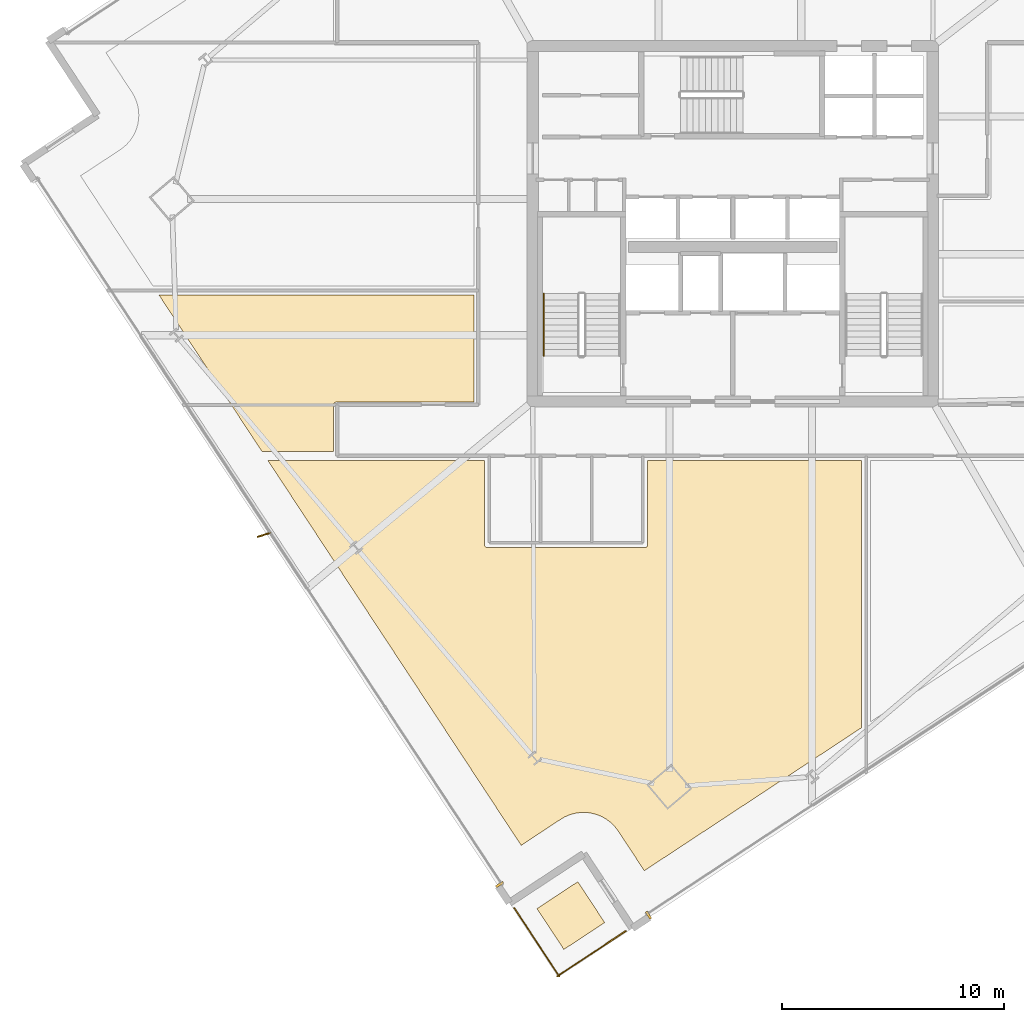
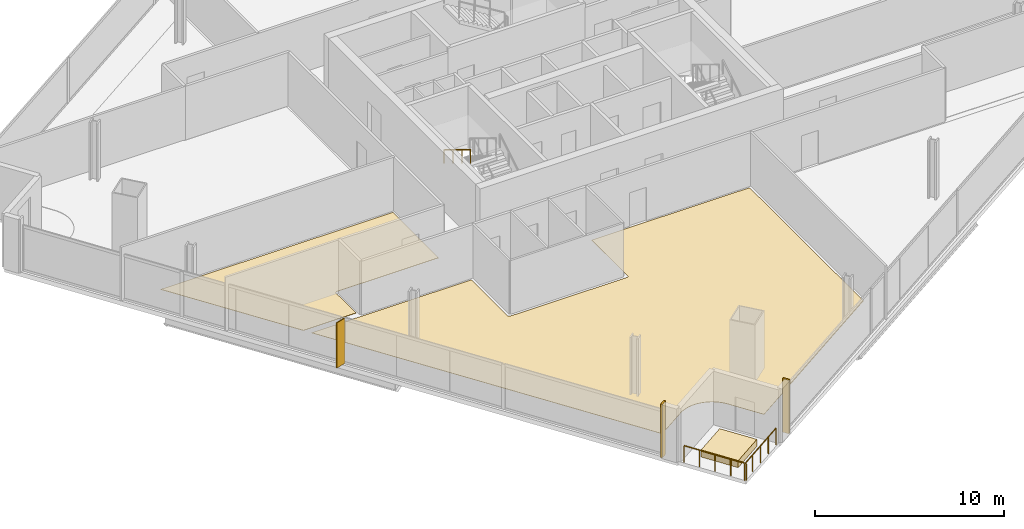
# One storey, part 25 of 29: 5 coverings, 3 railings, 1 shading device.
"""IFC4 building model written with IfcOpenShell, lengths in metres."""

from ifc_helpers import new_model, si_unit, direction, frame, origin, origin_2d, place, context, subcontext, project, spatial, polyline, rectangle, outline, extrude, source, transform, mapped, material, layer, layer_set, type_object, element, save


model = new_model("IFC4")

# Units and contexts
model_context = context("Model", 3, precision=1e-05, world=origin(), true_north=direction((0.0, 1.0)))
body_context = subcontext(model_context, "Body", "Model", "MODEL_VIEW")
ifc_project = project(units=[si_unit("LENGTHUNIT", "METRE"), si_unit("AREAUNIT", "SQUARE_METRE"), si_unit("VOLUMEUNIT", "CUBIC_METRE"), si_unit("PLANEANGLEUNIT", "RADIAN"), si_unit("MASSUNIT", "GRAM", prefix="KILO")], contexts=[model_context])

# Site, building, storey
site_placement = place(None, origin())
site = spatial("IfcSite", under=ifc_project, at=site_placement, CompositionType="ELEMENT")
building_placement = place(site_placement, origin())
building = spatial("IfcBuilding", under=site, at=building_placement, Name="Haldenkirk Collegiate Tower", CompositionType="ELEMENT")
storey_placement = place(building_placement, frame((0.0, 0.0, 140.699951171875)))
storey = spatial("IfcBuildingStorey", under=building, at=storey_placement, Name="L34", CompositionType="ELEMENT", Elevation=140.699951171875)

# Coverings
ifc_material_1 = material(Name="Engineered collegiate oak acoustic flooring", Category="wood")
ifc_layer_1 = layer(ifc_material_1, 0.02197265625)
ifc_layer_set_1 = layer_set([ifc_layer_1], Name="Engineered collegiate oak acoustic flooring")
covering_type_1 = type_object("IfcCoveringType", Name="COV-FLOOR-TIMBER", PredefinedType="FLOORING", material=ifc_layer_set_1)
covering_1_placement = place(storey_placement, origin())
element("IfcCovering", 1, at=covering_1_placement, inside=storey, type_object=covering_type_1, Name="L34 academic room finish 01", PredefinedType="FLOORING", context=body_context, shape_type="SweptSolid", body=[
    extrude(outline(polyline([(30.340576171875, -0.817138671875), (30.330810546875, -0.810546875), (30.18408203125, -0.72119140625), (30.173828125, -0.715576171875), (30.019287109375, -0.64111328125), (30.00830078125, -0.636474609375), (29.846923828125, -0.577392578125), (29.835693359375, -0.573974609375), (29.66943359375, -0.53125), (29.657958984375, -0.52880859375), (29.48828125, -0.50244140625), (29.4765625, -0.501220703125), (29.30517578125, -0.491455078125), (29.293212890625, -0.491455078125), (29.12158203125, -0.498779296875), (29.10986328125, -0.499755859375), (28.93994140625, -0.523681640625), (28.928466796875, -0.52587890625), (28.761474609375, -0.56640625), (28.75, -0.56982421875), (28.587890625, -0.626708984375), (28.5771484375, -0.631103515625), (28.42138671875, -0.703369140625), (28.410888671875, -0.708740234375), (28.262939453125, -0.796142578125), (28.258056640625, -0.79931640625), (26.47900390625, -1.97021484375), (15.079833984375, 15.35009765625), (24.830078125, 15.35009765625), (24.830078125, 11.550048828125), (24.83056640625, 11.5380859375), (24.832275390625, 11.526611328125), (24.835205078125, 11.51513671875), (24.839111328125, 11.504150390625), (24.84423828125, 11.493408203125), (24.85009765625, 11.4833984375), (24.857177734375, 11.473876953125), (24.864990234375, 11.465087890625), (24.873779296875, 11.457275390625), (24.88330078125, 11.4501953125), (24.893310546875, 11.444091796875), (24.904052734375, 11.439208984375), (24.915283203125, 11.435302734375), (24.926513671875, 11.432373046875), (24.938232421875, 11.4306640625), (24.949951171875, 11.429931640625), (32.050048828125, 11.429931640625), (32.061767578125, 11.4306640625), (32.073486328125, 11.432373046875), (32.084716796875, 11.435302734375), (32.095947265625, 11.439208984375), (32.106689453125, 11.444091796875), (32.11669921875, 11.4501953125), (32.126220703125, 11.457275390625), (32.135009765625, 11.465087890625), (32.142822265625, 11.473876953125), (32.14990234375, 11.4833984375), (32.15576171875, 11.493408203125), (32.160888671875, 11.504150390625), (32.164794921875, 11.51513671875), (32.167724609375, 11.526611328125), (32.16943359375, 11.5380859375), (32.169921875, 11.550048828125), (32.169921875, 15.35009765625), (41.800048828125, 15.35009765625), (41.800048828125, 3.32470703125), (32.019287109375, -3.112548828125), (30.84814453125, -1.333251953125), (30.8447265625, -1.328369140625), (30.743408203125, -1.189697265625), (30.736083984375, -1.1806640625), (30.62158203125, -1.052490234375), (30.61328125, -1.044189453125), (30.48681640625, -0.927978515625), (30.477783203125, -0.92041015625), (30.340576171875, -0.817138671875)])), origin(), (0.0, 0.0, 1.0), 0.02197265625),
])
covering_2_placement = place(storey_placement, origin())
element("IfcCovering", 2, at=covering_2_placement, inside=storey, type_object=covering_type_1, Name="L34 academic room finish 07", PredefinedType="FLOORING", context=body_context, shape_type="SweptSolid", body=[
    extrude(outline(polyline([(18.14990234375, 17.969970703125), (18.13818359375, 17.969482421875), (18.126708984375, 17.9677734375), (18.115234375, 17.96484375), (18.10400390625, 17.9609375), (18.093505859375, 17.955810546875), (18.083251953125, 17.94970703125), (18.073974609375, 17.94287109375), (18.065185546875, 17.934814453125), (18.05712890625, 17.926025390625), (18.05029296875, 17.916748046875), (18.044189453125, 17.906494140625), (18.0390625, 17.89599609375), (18.03515625, 17.884765625), (18.0322265625, 17.873291015625), (18.030517578125, 17.86181640625), (18.030029296875, 17.85009765625), (18.030029296875, 15.75), (14.816650390625, 15.75), (10.1767578125, 22.800048828125), (24.35009765625, 22.800048828125), (24.35009765625, 17.969970703125), (18.14990234375, 17.969970703125)])), origin(), (0.0, 0.0, 1.0), 0.02197265625),
])
ifc_material_2 = material(Name="Precast concrete f'c 40 MPa", Category="concrete")
ifc_layer_2 = layer(ifc_material_2, 0.449951171875)
ifc_layer_set_2 = layer_set([ifc_layer_2], Name="Precast concrete f'c 40 MPa")
covering_type_2 = type_object("IfcCoveringType", Name="COV-PLANTER-450", PredefinedType="USERDEFINED", material=ifc_layer_set_2)
covering_3_placement = place(storey_placement, origin())
element("IfcCovering", 3, at=covering_3_placement, inside=storey, type_object=covering_type_2, Name="L34 planted garden planter bed", ObjectType="PLANTER", PredefinedType="USERDEFINED", context=body_context, shape_type="SweptSolid", body=[
    extrude(outline(polyline([(28.40087890625, -6.655029296875), (27.19140625, -4.8173828125), (29.029052734375, -3.60791015625), (30.238525390625, -5.445556640625), (28.40087890625, -6.655029296875)])), origin(), (0.0, 0.0, 1.0), 0.449951171875),
])

# Railings
ifc_material_3 = material(Name="Painted architectural tubular steel", Category="steel")
railing_type_1 = type_object("IfcRailingType", Name="RLG-STAIR-HANDRAIL-900", PredefinedType="HANDRAIL", material=ifc_material_3)
railing_1_placement = place(storey_placement, frame((27.5, 22.85009765625, 2.04541015625)))
element("IfcRailing", 4, at=railing_1_placement, inside=storey, type_object=railing_type_1, Name="L34 ST-1 stair handrail 2", PredefinedType="HANDRAIL", context=body_context, shape_type="SweptSolid", body=[
    extrude(rectangle(XDim=0.048095703125, YDim=0.048095703125, at=origin_2d()), frame((0.0, 0.0, 0.8759765625), z_axis=(0.0, -0.854169791009, 0.51999420009), x_axis=(1.0, 0.0, 0.0)), (0.0, 0.0, 1.0), 3.278076171875),
    extrude(rectangle(XDim=0.0419921875, YDim=0.0419921875, at=origin_2d()), origin(), (0.0, 0.0, 1.0), 0.851806640625),
    extrude(rectangle(XDim=0.0419921875, YDim=0.0419921875, at=origin_2d()), frame((0.0, -0.933349609375, 0.568115234375)), (0.0, 0.0, 1.0), 0.851806640625),
    extrude(rectangle(XDim=0.0419921875, YDim=0.0419921875, at=origin_2d()), frame((0.0, -1.86669921875, 1.136474609375)), (0.0, 0.0, 1.0), 0.851806640625),
    extrude(rectangle(XDim=0.0419921875, YDim=0.0419921875, at=origin_2d()), frame((0.0, -2.800048828125, 1.70458984375)), (0.0, 0.0, 1.0), 0.851806640625),
])
ifc_material_4 = material(Name="Anodised architectural bronze aluminium", Category="aluminium")
railing_type_2 = type_object("IfcRailingType", Name="RLG-TERR-BALUSTRADE-1100", PredefinedType="BALUSTRADE", material=ifc_material_4)
railing_2_placement = place(storey_placement, frame((28.11083984375, -7.8515625, 0.0)))
element("IfcRailing", 5, at=railing_2_placement, inside=storey, type_object=railing_type_2, Name="L34 terrace guard balustrade 1-1", PredefinedType="BALUSTRADE", context=body_context, shape_type="SweptSolid", body=[
    extrude(rectangle(XDim=0.048095703125, YDim=0.048095703125, at=origin_2d()), frame((0.0, 0.0, 1.076171875), z_axis=(0.835312054896, 0.549776109835, 0.0), x_axis=(-0.549776109835, 0.835312054896, 0.0)), (0.0, 0.0, 1.0), 3.679931640625),
    extrude(rectangle(XDim=0.0419921875, YDim=0.0419921875, at=origin_2d()), origin(), (0.0, 0.0, 1.0), 1.052001953125),
    extrude(rectangle(XDim=0.0419921875, YDim=0.0419921875, at=origin_2d()), frame((0.7685546875, 0.505859375, 0.0)), (0.0, 0.0, 1.0), 1.052001953125),
    extrude(rectangle(XDim=0.0419921875, YDim=0.0419921875, at=origin_2d()), frame((1.537109375, 1.01171875, 0.0)), (0.0, 0.0, 1.0), 1.052001953125),
    extrude(rectangle(XDim=0.0419921875, YDim=0.0419921875, at=origin_2d()), frame((2.305419921875, 1.517333984375, 0.0)), (0.0, 0.0, 1.0), 1.052001953125),
    extrude(rectangle(XDim=0.0419921875, YDim=0.0419921875, at=origin_2d()), frame((3.073974609375, 2.023193359375, 0.0)), (0.0, 0.0, 1.0), 1.052001953125),
])
railing_3_placement = place(storey_placement, frame((26.1708984375, -4.794677734375, 0.0)))
element("IfcRailing", 6, at=railing_3_placement, inside=storey, type_object=railing_type_2, Name="L34 terrace guard balustrade 4-1", PredefinedType="BALUSTRADE", context=body_context, shape_type="SweptSolid", body=[
    extrude(rectangle(XDim=0.048095703125, YDim=0.048095703125, at=origin_2d()), frame((0.0, 0.0, 1.076171875), z_axis=(0.549729817425, -0.835342521265, 0.0), x_axis=(0.835342521265, 0.549729817425, 0.0)), (0.0, 0.0, 1.0), 3.679931640625),
    extrude(rectangle(XDim=0.0419921875, YDim=0.0419921875, at=origin_2d()), origin(), (0.0, 0.0, 1.0), 1.052001953125),
    extrude(rectangle(XDim=0.0419921875, YDim=0.0419921875, at=origin_2d()), frame((0.505859375, -0.7685546875, 0.0)), (0.0, 0.0, 1.0), 1.052001953125),
    extrude(rectangle(XDim=0.0419921875, YDim=0.0419921875, at=origin_2d()), frame((1.011474609375, -1.537109375, 0.0)), (0.0, 0.0, 1.0), 1.052001953125),
    extrude(rectangle(XDim=0.0419921875, YDim=0.0419921875, at=origin_2d()), frame((1.51708984375, -2.305419921875, 0.0)), (0.0, 0.0, 1.0), 1.052001953125),
    extrude(rectangle(XDim=0.0419921875, YDim=0.0419921875, at=origin_2d()), frame((2.02294921875, -3.073974609375, 0.0)), (0.0, 0.0, 1.0), 1.052001953125),
])

# Coverings
ifc_layer_3 = layer(ifc_material_4, 0.06005859375)
ifc_layer_set_3 = layer_set([ifc_layer_3], Name="Anodised architectural bronze aluminium")
covering_type_3 = type_object("IfcCoveringType", Name="COV-CLAD-BRONZE-60", PredefinedType="CLADDING", material=ifc_layer_set_3)
shared_shape_1 = source(origin(), body_context, "Body", "SweptSolid", [
    extrude(rectangle(XDim=0.10009765625, YDim=0.3798828125, at=origin_2d()), origin(), (0.0, 0.0, 1.0), 3.4599609375),
])
for number, where, z_axis, x_axis, name in (
    (7, (32.21240234375, -5.1162109375, 0.0), (0.0, 0.0, 1.0), (-0.835327930385, -0.549751988372, 0.0), "L34 recessed curtain-wall bronze jamb closure SJR"),
    (8, (25.5087890625, -3.73388671875, 0.0), (0.0, 0.0, 1.0), (-0.549751988372, 0.835327930385, 0.0), "L34 recessed curtain-wall bronze jamb closure WJL"),
):
    element("IfcCovering", number, at=place(storey_placement, frame(where, z_axis=z_axis, x_axis=x_axis)), inside=storey, type_object=covering_type_3, Name=name, PredefinedType="CLADDING", context=body_context, shape_type="MappedRepresentation", body=[
        mapped(shared_shape_1, transform((0.0, 0.0, 0.0), x_axis=(1.0, 0.0, 0.0), y_axis=(0.0, 1.0, 0.0), z_axis=(0.0, 0.0, 1.0), scale=1.0)),
    ])

# Shading device
ifc_layer_4 = layer(ifc_material_4, 0.06494140625)
ifc_layer_set_4 = layer_set([ifc_layer_4], Name="Anodised architectural bronze aluminium")
shading_device_type = type_object("IfcShadingDeviceType", Name="SHD-FIN-BRONZE-620", PredefinedType="USERDEFINED", material=ifc_layer_set_4)
shared_shape_2 = source(origin(), body_context, "Body", "SweptSolid", [
    extrude(rectangle(XDim=0.6201171875, YDim=0.06494140625, at=origin_2d()), origin(), (0.0, 0.0, 1.0), 2.910888671875),
])
shading_device_placement = place(storey_placement, frame((14.90869140625, 11.99951171875, 0.0), z_axis=(0.0, 0.0, 1.0), x_axis=(-0.954500927457, -0.298207946716, 0.0)))
element("IfcShadingDevice", 9, at=shading_device_placement, inside=storey, type_object=shading_device_type, Name="L34 folded bronze solar fin 1", ObjectType="FIN", PredefinedType="USERDEFINED", context=body_context, shape_type="MappedRepresentation", body=[
    mapped(shared_shape_2, transform((0.0, 0.0, 0.0), x_axis=(1.0, 0.0, 0.0), y_axis=(0.0, 1.0, 0.0), z_axis=(0.0, 0.0, 1.0), scale=1.0)),
])

save(model, "model.ifc")
